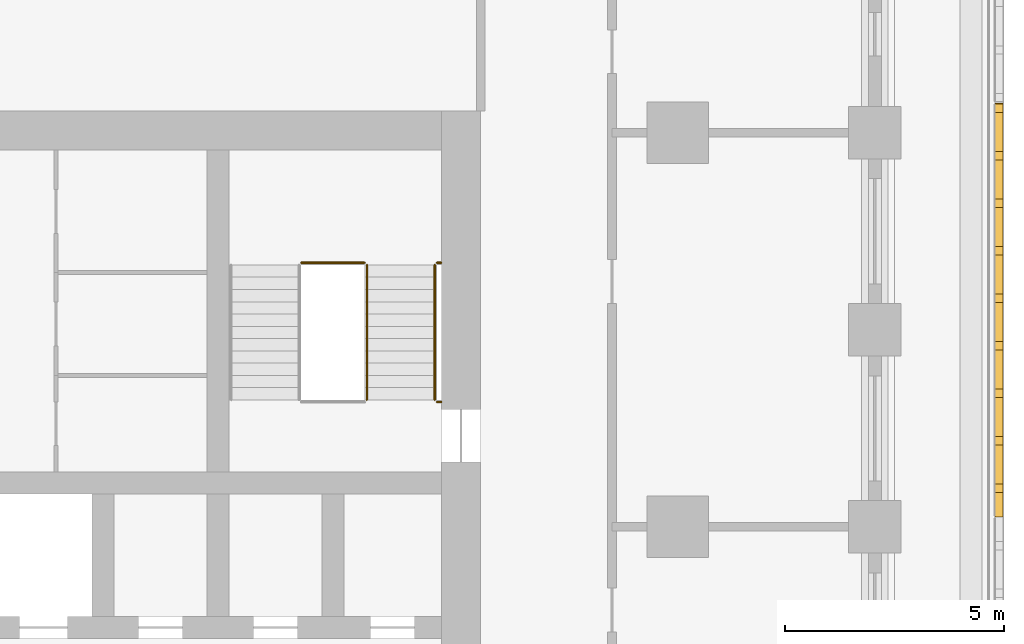
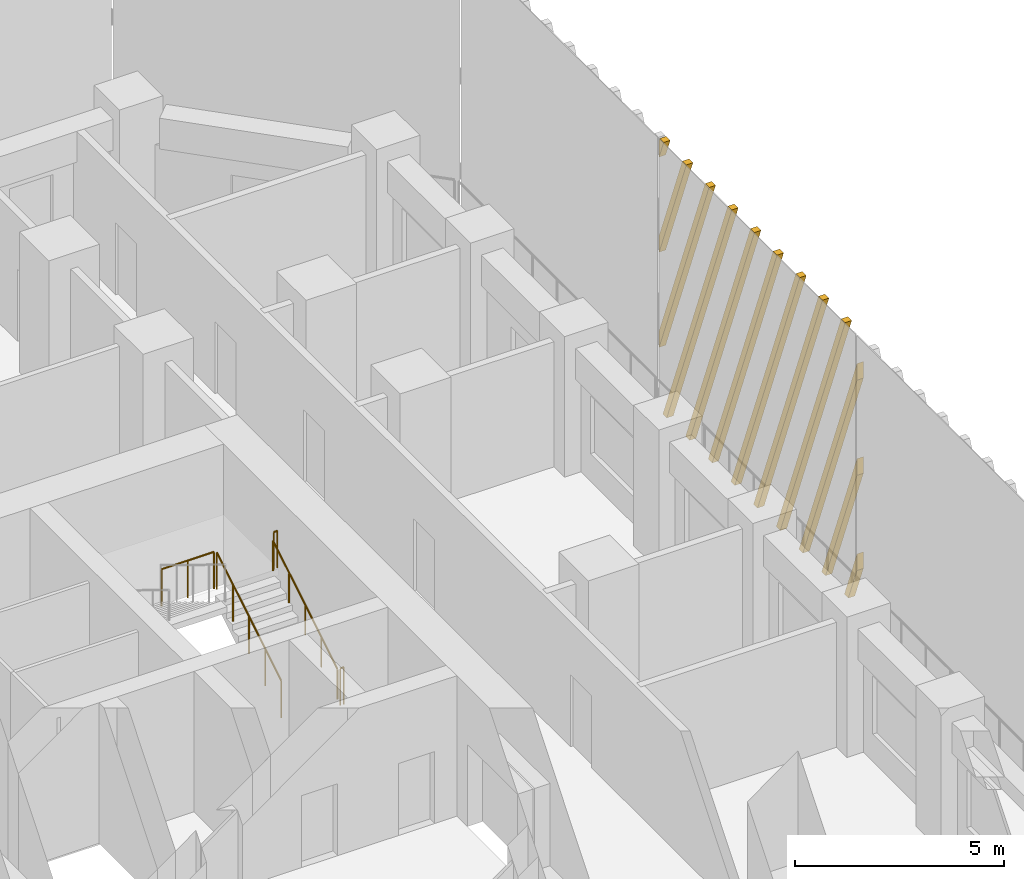
# One storey, part 17 of 19: 5 railings, 1 shading device.
"""IFC4 building model written with IfcOpenShell, lengths in metres."""

from ifc_helpers import new_model, si_unit, direction, frame, origin, origin_2d, place, context, subcontext, project, spatial, polyline, circle, outline, extrude, source, transform, mapped, material, type_object, element, save


model = new_model("IFC4")

# Units and contexts
model_context = context("Model", 3, precision=1e-05, world=origin(), true_north=direction((0.0, 1.0)))
body_context = subcontext(model_context, "Body", "Model", "MODEL_VIEW")
ifc_project = project(units=[si_unit("LENGTHUNIT", "METRE"), si_unit("AREAUNIT", "SQUARE_METRE"), si_unit("VOLUMEUNIT", "CUBIC_METRE"), si_unit("PLANEANGLEUNIT", "RADIAN"), si_unit("MASSUNIT", "GRAM", prefix="KILO")], contexts=[model_context])

# Site, building, storey
site_placement = place(None, origin())
site = spatial("IfcSite", under=ifc_project, at=site_placement, CompositionType="ELEMENT")
building_placement = place(site_placement, origin())
building = spatial("IfcBuilding", under=site, at=building_placement, Name="Corbel Stack Research Tower", CompositionType="ELEMENT")
storey_placement = place(building_placement, frame((0.0, 0.0, 133.10009765625)))
storey = spatial("IfcBuildingStorey", under=building, at=storey_placement, Name="L30", CompositionType="ELEMENT", Elevation=133.10009765625)

# Railings
ifc_material_1 = material(Name="Steel S355", Category="steel")
railing_type_1 = type_object("IfcRailingType", Name="Stair guard 1100", PredefinedType="GUARDRAIL", material=ifc_material_1)
railing_1_placement = place(storey_placement, frame((15.39990234375, 11.89990234375, 0.170654296875)))
element("IfcRailing", 1, at=railing_1_placement, inside=storey, type_object=railing_type_1, Name="L30 ST-E2 stair guard 1", PredefinedType="GUARDRAIL", context=body_context, shape_type="SweptSolid", body=[
    extrude(circle(Radius=0.02392578125, at=origin_2d()), frame((0.0, 0.0, 1.076171875), z_axis=(0.0, 0.853666305674, 0.52082035152), x_axis=(-1.0, 0.0, 0.0)), (0.0, 0.0, 1.0), 3.608154296875),
    extrude(circle(Radius=0.02099609375, at=origin_2d()), origin(), (0.0, 0.0, 1.0), 1.052001953125),
    extrude(circle(Radius=0.02099609375, at=origin_2d()), frame((0.0, 0.77001953125, 0.4697265625)), (0.0, 0.0, 1.0), 1.052001953125),
    extrude(circle(Radius=0.02099609375, at=origin_2d()), frame((0.0, 1.5400390625, 0.939453125)), (0.0, 0.0, 1.0), 1.052001953125),
    extrude(circle(Radius=0.02099609375, at=origin_2d()), frame((0.0, 2.31005859375, 1.409423828125)), (0.0, 0.0, 1.0), 1.052001953125),
    extrude(circle(Radius=0.02099609375, at=origin_2d()), frame((0.0, 3.080078125, 1.879150390625)), (0.0, 0.0, 1.0), 1.052001953125),
])
railing_2_placement = place(storey_placement, frame((15.35009765625, 15.030029296875, 2.0498046875)))
element("IfcRailing", 2, at=railing_2_placement, inside=storey, type_object=railing_type_1, Name="L30 ST-E2 stair guard 2", PredefinedType="GUARDRAIL", context=body_context, shape_type="SweptSolid", body=[
    extrude(circle(Radius=0.02392578125, at=origin_2d()), frame((0.0, 0.0, 1.076171875), z_axis=(-1.0, 0.0, 0.0), x_axis=(0.0, -1.0, 0.0)), (0.0, 0.0, 1.0), 1.4501953125),
    extrude(circle(Radius=0.02099609375, at=origin_2d()), origin(), (0.0, 0.0, 1.0), 1.052001953125),
    extrude(circle(Radius=0.02099609375, at=origin_2d()), frame((-0.72509765625, 0.0, 0.0)), (0.0, 0.0, 1.0), 1.052001953125),
    extrude(circle(Radius=0.02099609375, at=origin_2d()), frame((-1.4501953125, 0.0, 0.0)), (0.0, 0.0, 1.0), 1.052001953125),
])
for number, where, name in (
    (3, (17.10009765625, 15.030029296875, 2.0498046875), "L30 ST-E2 stair guard 3"),
    (4, (17.10009765625, 11.85009765625, 0.0), "L30 ST-E2 stair guard 6"),
):
    element("IfcRailing", number, at=place(storey_placement, frame(where)), inside=storey, type_object=railing_type_1, Name=name, PredefinedType="GUARDRAIL", context=body_context, shape_type="SweptSolid", body=[
        extrude(circle(Radius=0.02392578125, at=origin_2d()), frame((0.0, 0.0, 1.076171875), z_axis=(-1.0, 0.0, 0.0), x_axis=(0.0, -1.0, 0.0)), (0.0, 0.0, 1.0), 0.10009765625),
        extrude(circle(Radius=0.02099609375, at=origin_2d()), origin(), (0.0, 0.0, 1.0), 1.052001953125),
        extrude(circle(Radius=0.02099609375, at=origin_2d()), frame((-0.10009765625, 0.0, 0.0)), (0.0, 0.0, 1.0), 1.052001953125),
    ])
ifc_material_2 = material(Name="Steel S355", Category="steel")
railing_type_2 = type_object("IfcRailingType", Name="Stair handrail 900", PredefinedType="HANDRAIL", material=ifc_material_2)
railing_3_placement = place(storey_placement, frame((16.949951171875, 11.89990234375, 0.170654296875)))
element("IfcRailing", 5, at=railing_3_placement, inside=storey, type_object=railing_type_2, Name="L30 ST-E2 stair handrail 1", PredefinedType="HANDRAIL", context=body_context, shape_type="SweptSolid", body=[
    extrude(circle(Radius=0.02392578125, at=origin_2d()), frame((0.0, 0.0, 0.8759765625), z_axis=(0.0, 0.853666305674, 0.52082035152), x_axis=(-1.0, 0.0, 0.0)), (0.0, 0.0, 1.0), 3.608154296875),
    extrude(circle(Radius=0.02099609375, at=origin_2d()), origin(), (0.0, 0.0, 1.0), 0.851806640625),
    extrude(circle(Radius=0.02099609375, at=origin_2d()), frame((0.0, 0.77001953125, 0.4697265625)), (0.0, 0.0, 1.0), 0.851806640625),
    extrude(circle(Radius=0.02099609375, at=origin_2d()), frame((0.0, 1.5400390625, 0.939453125)), (0.0, 0.0, 1.0), 0.851806640625),
    extrude(circle(Radius=0.02099609375, at=origin_2d()), frame((0.0, 2.31005859375, 1.409423828125)), (0.0, 0.0, 1.0), 0.851806640625),
    extrude(circle(Radius=0.02099609375, at=origin_2d()), frame((0.0, 3.080078125, 1.879150390625)), (0.0, 0.0, 1.0), 0.851806640625),
])

# Shading device
ifc_material_3 = material(Name="Precast terracotta", Category="masonry")
shading_device_type = type_object("IfcShadingDeviceType", Name="Terracotta screen panel", PredefinedType="USERDEFINED", material=ifc_material_3)
shared_shape = source(origin(), body_context, "Body", "SweptSolid", [
    extrude(outline(polyline([(0.60205078125, 0.0), (0.0, 1.541748046875), (0.0, 1.055419921875), (0.412109375, 0.0), (0.60205078125, 0.0)])), frame((0.0, 0.0, 0.0), z_axis=(0.0, -1.0, 0.0), x_axis=(1.0, 0.0, 0.0)), (0.0, 0.0, 1.0), 0.179931640625),
    extrude(outline(polyline([(1.686767578125, 0.0), (0.0, 4.319091796875), (0.0, 3.83251953125), (1.496826171875, 0.0), (1.686767578125, 0.0)])), frame((0.0, 0.0, 0.0), z_axis=(0.0, -1.0, 0.0), x_axis=(1.0, 0.0, 0.0)), (0.0, 0.0, 1.0), 0.179931640625),
    extrude(outline(polyline([(2.771484375, 0.0), (0.0, 7.096435546875), (0.0, 6.60986328125), (2.58154296875, 0.0), (2.771484375, 0.0)])), frame((0.0, 0.0, 0.0), z_axis=(0.0, -1.0, 0.0), x_axis=(1.0, 0.0, 0.0)), (0.0, 0.0, 1.0), 0.179931640625),
    extrude(outline(polyline([(3.856201171875, 0.0), (0.751220703125, 7.949951171875), (0.561279296875, 7.949951171875), (3.666015625, 0.0), (3.856201171875, 0.0)])), frame((0.0, 0.0, 0.0), z_axis=(0.0, -1.0, 0.0), x_axis=(1.0, 0.0, 0.0)), (0.0, 0.0, 1.0), 0.179931640625),
    extrude(outline(polyline([(4.94091796875, 0.0), (1.8359375, 7.949951171875), (1.64599609375, 7.949951171875), (4.750732421875, 0.0), (4.94091796875, 0.0)])), frame((0.0, 0.0, 0.0), z_axis=(0.0, -1.0, 0.0), x_axis=(1.0, 0.0, 0.0)), (0.0, 0.0, 1.0), 0.179931640625),
    extrude(outline(polyline([(6.025390625, 0.0), (2.920654296875, 7.949951171875), (2.730712890625, 7.949951171875), (5.83544921875, 0.0), (6.025390625, 0.0)])), frame((0.0, 0.0, 0.0), z_axis=(0.0, -1.0, 0.0), x_axis=(1.0, 0.0, 0.0)), (0.0, 0.0, 1.0), 0.179931640625),
    extrude(outline(polyline([(7.110107421875, 0.0), (4.00537109375, 7.949951171875), (3.815185546875, 7.949951171875), (6.920166015625, 0.0), (7.110107421875, 0.0)])), frame((0.0, 0.0, 0.0), z_axis=(0.0, -1.0, 0.0), x_axis=(1.0, 0.0, 0.0)), (0.0, 0.0, 1.0), 0.179931640625),
    extrude(outline(polyline([(8.19482421875, 0.0), (5.090087890625, 7.949951171875), (4.89990234375, 7.949951171875), (8.0048828125, 0.0), (8.19482421875, 0.0)])), frame((0.0, 0.0, 0.0), z_axis=(0.0, -1.0, 0.0), x_axis=(1.0, 0.0, 0.0)), (0.0, 0.0, 1.0), 0.179931640625),
    extrude(outline(polyline([(9.279541015625, 0.0), (6.174560546875, 7.949951171875), (5.984619140625, 7.949951171875), (9.089599609375, 0.0), (9.279541015625, 0.0)])), frame((0.0, 0.0, 0.0), z_axis=(0.0, -1.0, 0.0), x_axis=(1.0, 0.0, 0.0)), (0.0, 0.0, 1.0), 0.179931640625),
    extrude(outline(polyline([(7.25927734375, 7.949951171875), (7.0693359375, 7.949951171875), (9.45556640625, 1.839599609375), (9.45556640625, 2.326171875), (7.25927734375, 7.949951171875)])), frame((0.0, 0.0, 0.0), z_axis=(0.0, -1.0, 0.0), x_axis=(1.0, 0.0, 0.0)), (0.0, 0.0, 1.0), 0.179931640625),
    extrude(outline(polyline([(8.343994140625, 7.949951171875), (8.15380859375, 7.949951171875), (9.45556640625, 4.616943359375), (9.45556640625, 5.103515625), (8.343994140625, 7.949951171875)])), frame((0.0, 0.0, 0.0), z_axis=(0.0, -1.0, 0.0), x_axis=(1.0, 0.0, 0.0)), (0.0, 0.0, 1.0), 0.179931640625),
    extrude(outline(polyline([(9.4287109375, 7.949951171875), (9.238525390625, 7.949951171875), (9.45556640625, 7.394287109375), (9.45556640625, 7.880859375), (9.4287109375, 7.949951171875)])), frame((0.0, 0.0, 0.0), z_axis=(0.0, -1.0, 0.0), x_axis=(1.0, 0.0, 0.0)), (0.0, 0.0, 1.0), 0.179931640625),
])
shading_device_placement = place(storey_placement, frame((29.75, 9.227783203125, 0.0), z_axis=(0.0, 0.0, 1.0), x_axis=(0.0, 1.0, 0.0)))
element("IfcShadingDevice", 6, at=shading_device_placement, inside=storey, type_object=shading_device_type, Name="Terracotta screen L30 E4", ObjectType="SCREEN", PredefinedType="USERDEFINED", context=body_context, shape_type="MappedRepresentation", body=[
    mapped(shared_shape, transform((0.0, 0.0, 0.0))),
])

save(model, "model.ifc")
